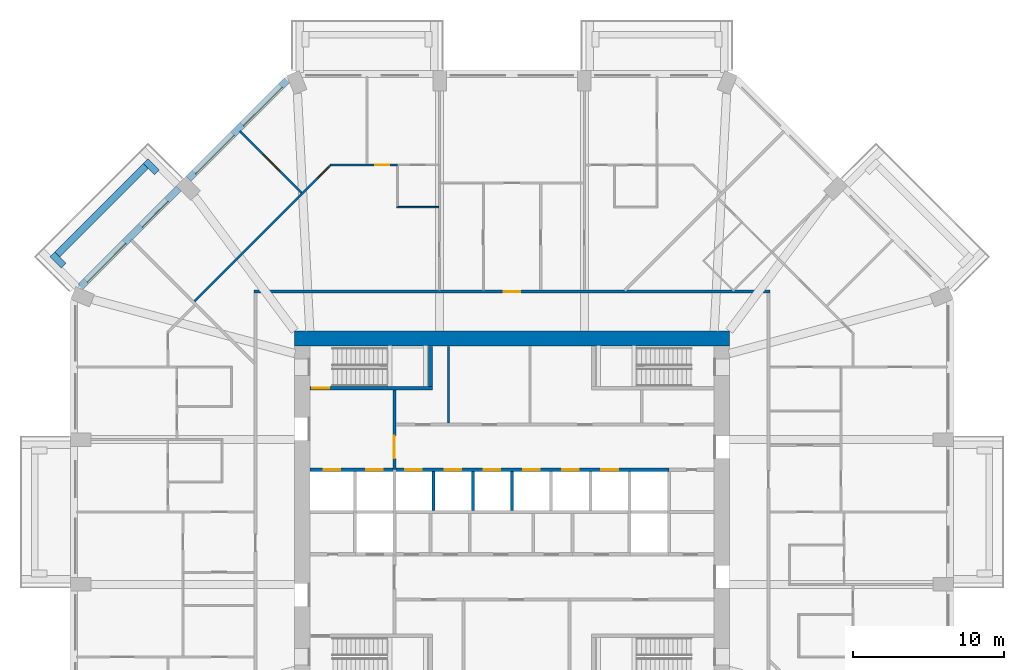
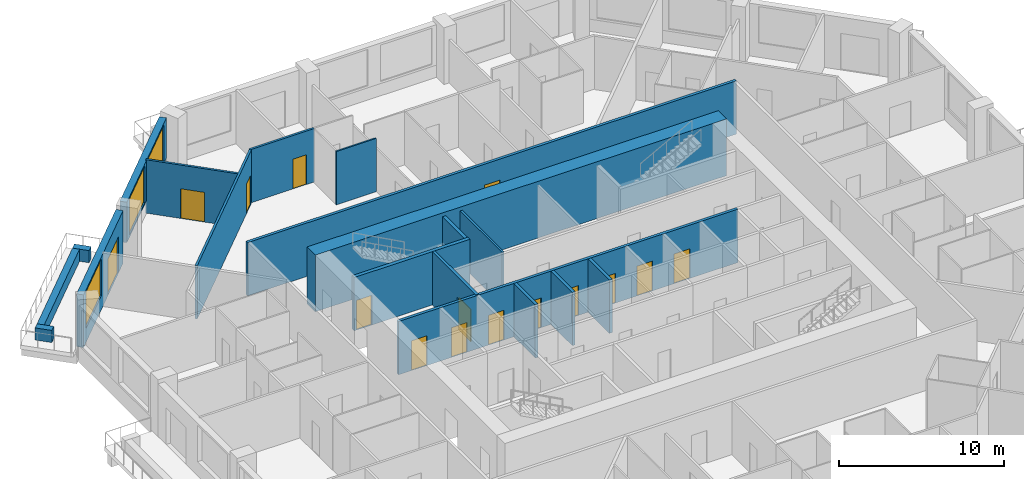
# One storey, part 8 of 13: 19 walls, 15 doors, 3 windows, 18 openings.
"""IFC4 building model written with IfcOpenShell, lengths in metres."""

import ifcopenshell
import ifcopenshell.guid

model = None  # the IFC model being written
_history = None  # IfcOwnerHistory: only IFC2X3 demands one
_inside = {}  # id of a spatial element -> (the spatial element, [elements in it])
_under = {}  # id of a project, library or spatial element -> (it, [spatial elements below it])
_declared = {}  # id of a project -> (the project, [libraries it declares])
_typed = {}  # id of a type object -> (the type object, [elements of that type])
_made_of = {}  # id of a material, layer set ... -> (it, [elements and type objects made of it])


def new_model(schema):
    """Start an empty IFC model of exactly this schema.

    Asked for "IFC4X3", IfcOpenShell would pick the latest addendum, in which some entities
    have other attributes; the version numbers below select the first issue.
    IFC2X3 requires an IfcOwnerHistory on every rooted entity: one is made here for all.
    """
    global model, _history
    if schema == "IFC4X3":
        model = ifcopenshell.file(schema_version=(4, 3, 0, 0))
    else:
        model = ifcopenshell.file(schema=schema)
    _inside.clear()
    _under.clear()
    _declared.clear()
    _typed.clear()
    _made_of.clear()
    _history = None
    if model.schema == "IFC2X3":
        org = make("IfcOrganization", Name="unknown")
        user = make(
            "IfcPersonAndOrganization",
            ThePerson=make("IfcPerson", FamilyName="unknown"),
            TheOrganization=org,
        )
        app = make(
            "IfcApplication",
            ApplicationDeveloper=org,
            Version="unknown",
            ApplicationFullName="unknown",
            ApplicationIdentifier="unknown",
        )
        _history = make(
            "IfcOwnerHistory",
            OwningUser=user,
            OwningApplication=app,
            ChangeAction="ADDED",
            CreationDate=0,
        )
    return model


def make(cls, **values):
    """One entity of the class cls with the attributes given. An attribute that is None is left unset."""
    return model.create_entity(
        cls, **{name: value for name, value in values.items() if value is not None}
    )


def rooted(cls, **values):
    """An entity with a GlobalId (a new one), such as an element, a storey or a relation."""
    return make(cls, GlobalId=ifcopenshell.guid.new(), OwnerHistory=_history, **values)


def si_unit(unit_type, name, prefix=None):
    """IfcSIUnit, for example si_unit("LENGTHUNIT", "METRE", prefix="MILLI")."""
    return make("IfcSIUnit", UnitType=unit_type, Prefix=prefix, Name=name)


def assignment(units):
    """IfcUnitAssignment: the units of a project."""
    return None if units is None else make("IfcUnitAssignment", Units=units)


def point(xyz):
    """IfcCartesianPoint."""
    return None if xyz is None else make("IfcCartesianPoint", Coordinates=xyz)


def direction(xyz):
    """IfcDirection."""
    return None if xyz is None else make("IfcDirection", DirectionRatios=xyz)


def frame(location, z_axis=None, x_axis=None):
    """IfcAxis2Placement3D, a coordinate frame: its origin and axes. An axis left out is left unset."""
    return make(
        "IfcAxis2Placement3D",
        Location=point(location),
        Axis=direction(z_axis),
        RefDirection=direction(x_axis),
    )


def frame_2d(location, x_axis=None):
    """IfcAxis2Placement2D, a coordinate frame in the plane: its origin and x axis."""
    return make(
        "IfcAxis2Placement2D", Location=point(location), RefDirection=direction(x_axis)
    )


def origin():
    """The frame at (0, 0, 0) with its axes left unset."""
    return frame((0.0, 0.0, 0.0))


def place(relative_to, where):
    """IfcLocalPlacement: puts the frame where relative to a parent placement (None: the world)."""
    return make(
        "IfcLocalPlacement", PlacementRelTo=relative_to, RelativePlacement=where
    )


def context(
    kind, dimensions, precision=None, world=None, true_north=None, identifier=None
):
    """IfcGeometricRepresentationContext, for example the 3D "Model" context."""
    return make(
        "IfcGeometricRepresentationContext",
        ContextIdentifier=identifier,
        ContextType=kind,
        CoordinateSpaceDimension=dimensions,
        Precision=precision,
        WorldCoordinateSystem=world,
        TrueNorth=true_north,
    )


def subcontext(parent, identifier, kind, view, scale=None):
    """IfcGeometricRepresentationSubContext, for example "Body" below "Model"."""
    return make(
        "IfcGeometricRepresentationSubContext",
        ContextIdentifier=identifier,
        ContextType=kind,
        ParentContext=parent,
        TargetScale=scale,
        TargetView=view,
    )


def project(units=None, contexts=None):
    """IfcProject with its units and contexts."""
    return rooted(
        "IfcProject",
        Name="project",
        RepresentationContexts=contexts,
        UnitsInContext=assignment(units),
    )


def spatial(cls, under=None, at=None, **own):
    """A site, building, storey or space (cls), placed at a placement, below another one or the project."""
    s = rooted(cls, ObjectPlacement=at, **own)
    if under is not None:
        _under.setdefault(under.id(), (under, []))[1].append(s)
    return s


def profile(cls, at=None, kind="AREA", **sizes):
    """A parametric profile (cls). Its sizes go by their IFC names, for example OverallWidth=200.0."""
    return make(cls, ProfileType=kind, Position=at, **sizes)


def rectangle(**sizes):
    """IfcRectangleProfileDef."""
    return profile("IfcRectangleProfileDef", **sizes)


def extrude(swept, where, along, depth):
    """IfcExtrudedAreaSolid: the profile swept, set in the frame where, extruded along a direction by depth."""
    return make(
        "IfcExtrudedAreaSolid",
        SweptArea=swept,
        Position=where,
        ExtrudedDirection=direction(along),
        Depth=depth,
    )


def shape(context_of_items, identifier, shape_type, items):
    """IfcShapeRepresentation: the items that make up one representation, for example the "Body"."""
    return make(
        "IfcShapeRepresentation",
        ContextOfItems=context_of_items,
        RepresentationIdentifier=identifier,
        RepresentationType=shape_type,
        Items=items,
    )


def material(Name=None, Category=None):
    """IfcMaterial."""
    return make("IfcMaterial", Name=Name, Category=Category)


def layer(
    of_material, thickness, ventilated=None, Name=None, Category=None, Priority=None
):
    """IfcMaterialLayer: one layer of a wall or slab, of a material (None: an air gap)."""
    return make(
        "IfcMaterialLayer",
        Material=of_material,
        LayerThickness=thickness,
        IsVentilated=ventilated,
        Name=Name,
        Category=Category,
        Priority=Priority,
    )


def layer_set(layers, Name=None):
    """IfcMaterialLayerSet."""
    return make("IfcMaterialLayerSet", MaterialLayers=layers, LayerSetName=Name)


def made_of(thing, what):
    """Note that an element or type object is made of a material, layer set ...; save() writes the relation."""
    if what is not None:
        _made_of.setdefault(what.id(), (what, []))[1].append(thing)
    return thing


def type_object(cls, material=None, **own):
    """A type object (cls), such as IfcWallType, which elements share."""
    return made_of(rooted(cls, **own), material)


def element(
    cls,
    number,
    at=None,
    inside=None,
    cuts=None,
    type_object=None,
    material=None,
    context=None,
    identifier="Body",
    shape_type=None,
    held_by="IfcProductDefinitionShape",
    body=None,
    shapes=None,
    **own,
):
    """One element of the class cls, such as IfcWall. Its Tag is "e" and its number.

    at: its placement. inside: the storey or other place that contains it. cuts: it is an
    opening in that element (IfcRelVoidsElement). A single representation is given by context,
    identifier, shape_type and body (its items); several are given by shapes. held_by: the class
    of the entity that holds the representations. save() writes the other relations.
    """
    e = rooted(cls, Tag="e%d" % number, ObjectPlacement=at, **own)
    if body is not None:
        shapes = [shape(context, identifier, shape_type, body)]
    if shapes is not None:
        e.Representation = make(held_by, Representations=shapes)
    if inside is not None:
        _inside.setdefault(inside.id(), (inside, []))[1].append(e)
    if cuts is not None:
        rooted(
            "IfcRelVoidsElement", RelatingBuildingElement=cuts, RelatedOpeningElement=e
        )
    if type_object is not None:
        _typed.setdefault(type_object.id(), (type_object, []))[1].append(e)
    return made_of(e, material)


def fill(opening, filler):
    """IfcRelFillsElement: the door or window that sits in an opening."""
    return rooted(
        "IfcRelFillsElement",
        RelatingOpeningElement=opening,
        RelatedBuildingElement=filler,
    )


def aggregate(whole, parts):
    """IfcRelAggregates: a whole, such as a stair, and the parts it consists of."""
    return rooted("IfcRelAggregates", RelatingObject=whole, RelatedObjects=parts)


def save(model, path):
    """Write the relations noted so far, then the file.

    IfcRelAggregates (storeys below a building ...), IfcRelContainedInSpatialStructure (elements
    in a storey), IfcRelDefinesByType, IfcRelAssociatesMaterial and IfcRelDeclares: one each for
    every whole, place, type object, material and project.
    """
    for whole, parts in _under.values():
        aggregate(whole, parts)
    for where, things in _inside.values():
        rooted(
            "IfcRelContainedInSpatialStructure",
            RelatedElements=things,
            RelatingStructure=where,
        )
    for kind, things in _typed.values():
        rooted("IfcRelDefinesByType", RelatedObjects=things, RelatingType=kind)
    for what, things in _made_of.values():
        rooted("IfcRelAssociatesMaterial", RelatedObjects=things, RelatingMaterial=what)
    for by, libraries in _declared.values():
        rooted("IfcRelDeclares", RelatingContext=by, RelatedDefinitions=libraries)
    model.write(path)


model = new_model("IFC4")

# Units and contexts
model_context = context("Model", 3, precision=1e-05, world=origin(), true_north=direction((0.0, 1.0)))
body_context = subcontext(model_context, "Body", "Model", "MODEL_VIEW")
ifc_project = project(units=[si_unit("LENGTHUNIT", "METRE"), si_unit("AREAUNIT", "SQUARE_METRE"), si_unit("VOLUMEUNIT", "CUBIC_METRE"), si_unit("PLANEANGLEUNIT", "RADIAN"), si_unit("MASSUNIT", "GRAM", prefix="KILO")], contexts=[model_context])

# Site, building, storey
site_placement = place(None, origin())
site = spatial("IfcSite", under=ifc_project, at=site_placement, CompositionType="ELEMENT")
building_placement = place(site_placement, origin())
building = spatial("IfcBuilding", under=site, at=building_placement, Name="Msitu Wima Residences", CompositionType="ELEMENT")
storey_placement = place(building_placement, frame((0.0, 0.0, 75.89990234375)))
storey = spatial("IfcBuildingStorey", under=building, at=storey_placement, Name="L17", CompositionType="ELEMENT", Elevation=75.89990234375)

# Walls
ifc_material_1 = material(Name="Facing brick")
ifc_layer_1 = layer(ifc_material_1, 0.06494140625, Name="Facing brick")
ifc_material_2 = material(Name="Concrete C40/50", Category="concrete")
ifc_layer_2 = layer(ifc_material_2, 0.156005859375, Name="Concrete C40/50")
ifc_material_3 = material(Name="Waterproofing membrane")
ifc_layer_3 = layer(ifc_material_3, 0.00390625, Name="Waterproofing membrane")
ifc_material_4 = material(Name="Planting soil and planting")
ifc_layer_4 = layer(ifc_material_4, 0.22509765625, Name="Planting soil and planting")
ifc_layer_set_1 = layer_set([ifc_layer_1, ifc_layer_2, ifc_layer_3, ifc_layer_4], Name="Concrete C40/50")
wall_type_1 = type_object("IfcWallType", Name="Balcony planter PLANTER PL450", PredefinedType="USERDEFINED", material=ifc_layer_set_1)
wall_1_placement = place(storey_placement, frame((-24.269287109375, 22.92578125, 0.0), z_axis=(0.0, 0.0, 1.0), x_axis=(-0.707106781187, -0.707106781187, 0.0)))
element("IfcWall", 1, at=wall_1_placement, inside=storey, type_object=wall_type_1, Name="Balcony planter NW1 L17", ObjectType="PLANTER", PredefinedType="USERDEFINED", context=body_context, shape_type="SweptSolid", body=[
    extrude(rectangle(XDim=8.2822265625, YDim=0.449951171875, at=frame_2d((4.14111328125, 0.0))), origin(), (0.0, 0.0, 1.0), 0.900146484375),
])
for number, where, z_axis, x_axis, name in (
    (2, (-23.52685546875, 22.50146484375, 0.0), (0.0, 0.0, 1.0), (-0.706990528533, 0.707223014731, 0.0), "Balcony planter NW1 L17"),
    (3, (-29.70166015625, 16.326904296875, 0.0), (0.0, 0.0, 1.0), (-0.707106781187, 0.707106781187, 0.0), "Balcony planter NW1 L17"),
):
    element("IfcWall", number, at=place(storey_placement, frame(where, z_axis=z_axis, x_axis=x_axis)), inside=storey, type_object=wall_type_1, Name=name, ObjectType="PLANTER", PredefinedType="USERDEFINED", context=body_context, shape_type="SweptSolid", body=[
        extrude(rectangle(XDim=1.050048828125, YDim=0.449951171875, at=frame_2d((0.52490234375, 0.0))), origin(), (0.0, 0.0, 1.0), 0.900146484375),
    ])

# Wall, openings, windows
ifc_material_5 = material(Name="Brick (red buff mix)", Category="masonry")
ifc_layer_5 = layer(ifc_material_5, 0.449951171875)
ifc_layer_set_2 = layer_set([ifc_layer_5], Name="Brick (red buff mix)")
wall_type_2 = type_object("IfcWallType", Name="Brick infill wall BW450", PredefinedType="SOLIDWALL", material=ifc_layer_set_2)
wall_2_placement = place(storey_placement, frame((-14.903564453125, 28.61474609375, 0.900146484375), z_axis=(0.0, 0.0, 1.0), x_axis=(-0.707106781187, -0.707106781187, 0.0)))
wall_2 = element("IfcWall", 4, at=wall_2_placement, inside=storey, type_object=wall_type_2, Name="Brick infill wall L17 NW0", PredefinedType="SOLIDWALL", context=body_context, shape_type="SweptSolid", body=[
    extrude(rectangle(XDim=9.2451171875, YDim=0.449951171875, at=frame_2d((4.62255859375, 0.0))), origin(), (0.0, 0.0, 1.0), 3.0),
])
opening_1_placement = place(wall_2_placement, frame((0.572509765625, 0.0, 0.14990234375)))
opening_1 = element("IfcOpeningElement", 5, at=opening_1_placement, cuts=wall_2, Name="Opening W16-17.013", PredefinedType="OPENING", context=body_context, shape_type="SweptSolid", body=[
    extrude(rectangle(XDim=3.60009765625, YDim=2.699951171875, at=frame_2d((1.800048828125, 1.35009765625))), frame((0.0, 0.23486328125, 0.0), z_axis=(0.0, -1.0, 0.0), x_axis=(1.0, 0.0, 0.0)), (0.0, 0.0, 1.0), 0.469970703125),
])
opening_2_placement = place(wall_2_placement, frame((5.072509765625, 0.0, 0.14990234375)))
opening_2 = element("IfcOpeningElement", 6, at=opening_2_placement, cuts=wall_2, Name="Opening W16-17.014", PredefinedType="OPENING", context=body_context, shape_type="SweptSolid", body=[
    extrude(rectangle(XDim=3.60009765625, YDim=2.699951171875, at=frame_2d((1.800048828125, 1.35009765625))), frame((0.0, 0.23486328125, 0.0), z_axis=(0.0, -1.0, 0.0), x_axis=(1.0, 0.0, 0.0)), (0.0, 0.0, 1.0), 0.469970703125),
])
ifc_material_6 = material(Name="Anodised aluminium, bronze finish, clear low-emissivity double glazing", Category="aluminium")
window_type = type_object("IfcWindowType", Name="Window W3600x2700", PartitioningType="DOUBLE_PANEL_VERTICAL", PredefinedType="WINDOW", material=ifc_material_6)
window_1_placement = place(opening_1_placement, origin())
window_1 = element("IfcWindow", 7, at=window_1_placement, inside=storey, type_object=window_type, Name="Window L17 NW0.1", OverallHeight=2.699951171875, OverallWidth=3.60009765625, PartitioningType="SINGLE_PANEL", PredefinedType="WINDOW", context=body_context, shape_type="SweptSolid", body=[
    extrude(rectangle(XDim=3.60009765625, YDim=2.699951171875, at=frame_2d((1.800048828125, 1.35009765625))), frame((0.0, 0.135009765625, 0.0), z_axis=(0.0, -1.0, 0.0), x_axis=(1.0, 0.0, 0.0)), (0.0, 0.0, 1.0), 0.06005859375),
])
fill(opening_1, window_1)
window_2_placement = place(opening_2_placement, origin())
window_2 = element("IfcWindow", 8, at=window_2_placement, inside=storey, type_object=window_type, Name="Window L17 NW0.2", OverallHeight=2.699951171875, OverallWidth=3.60009765625, PartitioningType="SINGLE_PANEL", PredefinedType="WINDOW", context=body_context, shape_type="SweptSolid", body=[
    extrude(rectangle(XDim=3.60009765625, YDim=2.699951171875, at=frame_2d((1.800048828125, 1.35009765625))), frame((0.0, 0.135009765625, 0.0), z_axis=(0.0, -1.0, 0.0), x_axis=(1.0, 0.0, 0.0)), (0.0, 0.0, 1.0), 0.06005859375),
])
fill(opening_2, window_2)

# Wall, openings, door, window
wall_3_placement = place(storey_placement, frame((-22.077392578125, 21.44091796875, 0.0), z_axis=(0.0, 0.0, 1.0), x_axis=(-0.707106781187, -0.707106781187, 0.0)))
wall_3 = element("IfcWall", 9, at=wall_3_placement, inside=storey, type_object=wall_type_2, Name="Brick infill wall L17 NW1", PredefinedType="SOLIDWALL", context=body_context, shape_type="SweptSolid", body=[
    extrude(rectangle(XDim=9.2451171875, YDim=0.449951171875, at=frame_2d((4.62255859375, 0.0))), origin(), (0.0, 0.0, 1.0), 3.900146484375),
])
opening_3_placement = place(wall_3_placement, frame((1.111328125, 0.0, 0.0)))
opening_3 = element("IfcOpeningElement", 10, at=opening_3_placement, cuts=wall_3, Name="Opening D16-17.005", PredefinedType="OPENING", context=body_context, shape_type="SweptSolid", body=[
    extrude(rectangle(XDim=2.39990234375, YDim=2.699951171875, at=frame_2d((1.199951171875, 1.35009765625))), frame((0.0, 0.23486328125, 0.0), z_axis=(0.0, -1.0, 0.0), x_axis=(1.0, 0.0, 0.0)), (0.0, 0.0, 1.0), 0.469970703125),
])
opening_4_placement = place(wall_3_placement, frame((5.072509765625, 0.0, 1.050048828125)))
opening_4 = element("IfcOpeningElement", 11, at=opening_4_placement, cuts=wall_3, Name="Opening W16-17.015", PredefinedType="OPENING", context=body_context, shape_type="SweptSolid", body=[
    extrude(rectangle(XDim=3.60009765625, YDim=2.699951171875, at=frame_2d((1.800048828125, 1.35009765625))), frame((0.0, 0.23486328125, 0.0), z_axis=(0.0, -1.0, 0.0), x_axis=(1.0, 0.0, 0.0)), (0.0, 0.0, 1.0), 0.469970703125),
])
door_type_1 = type_object("IfcDoorType", Name="Balcony door D2400x2700", OperationType="SLIDING_TO_LEFT", PredefinedType="DOOR", material=ifc_material_6)
door_1_placement = place(opening_3_placement, origin())
door_1 = element("IfcDoor", 12, at=door_1_placement, inside=storey, type_object=door_type_1, Name="Balcony door L17 NW1", OperationType="SINGLE_SWING_LEFT", OverallHeight=2.699951171875, OverallWidth=2.39990234375, PredefinedType="DOOR", context=body_context, shape_type="SweptSolid", body=[
    extrude(rectangle(XDim=2.39990234375, YDim=2.699951171875, at=frame_2d((1.199951171875, 1.35009765625))), frame((0.0, 0.1298828125, 0.0), z_axis=(0.0, -1.0, 0.0), x_axis=(1.0, 0.0, 0.0)), (0.0, 0.0, 1.0), 0.050048828125),
])
fill(opening_3, door_1)
window_3_placement = place(opening_4_placement, origin())
window_3 = element("IfcWindow", 13, at=window_3_placement, inside=storey, type_object=window_type, Name="Window L17 NW1.2", OverallHeight=2.699951171875, OverallWidth=3.60009765625, PartitioningType="SINGLE_PANEL", PredefinedType="WINDOW", context=body_context, shape_type="SweptSolid", body=[
    extrude(rectangle(XDim=3.60009765625, YDim=2.699951171875, at=frame_2d((1.800048828125, 1.35009765625))), frame((0.0, 0.135009765625, 0.0), z_axis=(0.0, -1.0, 0.0), x_axis=(1.0, 0.0, 0.0)), (0.0, 0.0, 1.0), 0.06005859375),
])
fill(opening_4, window_3)

# Wall
ifc_material_7 = material(Name="Concrete C80/95", Category="concrete")
ifc_layer_6 = layer(ifc_material_7, 1.0)
ifc_layer_set_3 = layer_set([ifc_layer_6], Name="Concrete C80/95")
wall_type_3 = type_object("IfcWallType", Name="Core wall CW1000 C80/95", PredefinedType="SHEAR", material=ifc_layer_set_3)
wall_4_placement = place(storey_placement, frame((-14.39990234375, 11.5, 0.0), z_axis=(0.0, 0.0, 1.0), x_axis=(1.0, 0.0, 0.0)))
element("IfcWall", 14, at=wall_4_placement, inside=storey, type_object=wall_type_3, Name="Core wall", PredefinedType="SHEAR", context=body_context, shape_type="SweptSolid", body=[
    extrude(rectangle(XDim=28.7998046875, YDim=1.0, at=frame_2d((14.39990234375, 0.0))), origin(), (0.0, 0.0, 1.0), 4.2001953125),
])

# Wall, opening, door
ifc_material_8 = material(Name="Plaster")
ifc_layer_7 = layer(ifc_material_8, 0.011962890625, Name="Plaster")
ifc_material_9 = material(Name="Concrete blockwork", Category="masonry")
ifc_layer_8 = layer(ifc_material_9, 0.176025390625, Name="Concrete blockwork")
ifc_layer_9 = layer(ifc_material_8, 0.011962890625, Name="Plaster")
ifc_layer_set_4 = layer_set([ifc_layer_7, ifc_layer_8, ifc_layer_9], Name="Concrete blockwork")
wall_type_4 = type_object("IfcWallType", Name="Corridor wall FW200", PredefinedType="PARTITIONING", material=ifc_layer_set_4)
wall_5_placement = place(storey_placement, frame((-17.10009765625, 14.60009765625, 0.0), z_axis=(0.0, 0.0, 1.0), x_axis=(1.0, 0.0, 0.0)))
wall_5 = element("IfcWall", 15, at=wall_5_placement, inside=storey, type_object=wall_type_4, Name="Corridor wall", PredefinedType="PARTITIONING", context=body_context, shape_type="SweptSolid", body=[
    extrude(rectangle(XDim=34.2001953125, YDim=0.199951171875, at=frame_2d((17.10009765625, 0.0))), origin(), (0.0, 0.0, 1.0), 3.9501953125),
])
opening_5_placement = place(wall_5_placement, frame((16.550048828125, 0.0, 0.0)))
opening_5 = element("IfcOpeningElement", 16, at=opening_5_placement, cuts=wall_5, Name="Opening D16-17.011", PredefinedType="OPENING", context=body_context, shape_type="SweptSolid", body=[
    extrude(rectangle(XDim=1.10009765625, YDim=2.39990234375, at=frame_2d((0.550048828125, 1.199951171875))), frame((0.0, 0.10986328125, 0.0), z_axis=(0.0, -1.0, 0.0), x_axis=(1.0, 0.0, 0.0)), (0.0, 0.0, 1.0), 0.219970703125),
])
ifc_material_10 = material(Name="Timber flush door, fire resisting, self-closing", Category="wood")
door_type_2 = type_object("IfcDoorType", Name="Flat entrance door D01 1100x2400", OperationType="SINGLE_SWING_LEFT", PredefinedType="DOOR", material=ifc_material_10)
door_2_placement = place(opening_5_placement, origin())
door_2 = element("IfcDoor", 17, at=door_2_placement, inside=storey, type_object=door_type_2, Name="Flat entrance door", OperationType="SINGLE_SWING_RIGHT", OverallHeight=2.39990234375, OverallWidth=1.10009765625, PredefinedType="DOOR", context=body_context, shape_type="SweptSolid", body=[
    extrude(rectangle(XDim=1.10009765625, YDim=2.39990234375, at=frame_2d((0.550048828125, 1.199951171875))), frame((0.0, 0.02490234375, 0.0), z_axis=(0.0, -1.0, 0.0), x_axis=(1.0, 0.0, 0.0)), (0.0, 0.0, 1.0), 0.050048828125),
])
fill(opening_5, door_2)

wall_6_placement = place(storey_placement, frame((-7.800048828125, 2.800048828125, 0.0), z_axis=(0.0, 0.0, 1.0), x_axis=(0.0, 1.0, 0.0)))
wall_6 = element("IfcWall", 18, at=wall_6_placement, inside=storey, type_object=wall_type_4, Name="Corridor wall", PredefinedType="PARTITIONING", context=body_context, shape_type="SweptSolid", body=[
    extrude(rectangle(XDim=5.27490234375, YDim=0.199951171875, at=frame_2d((2.637451171875, 0.0))), origin(), (0.0, 0.0, 1.0), 3.9501953125),
])
opening_6_placement = place(wall_6_placement, frame((0.75, 0.0, 0.0)))
opening_6 = element("IfcOpeningElement", 19, at=opening_6_placement, cuts=wall_6, Name="Opening D16-17.017", PredefinedType="OPENING", context=body_context, shape_type="SweptSolid", body=[
    extrude(rectangle(XDim=1.5, YDim=2.39990234375, at=frame_2d((0.75, 1.199951171875))), frame((0.0, 0.10986328125, 0.0), z_axis=(0.0, -1.0, 0.0), x_axis=(1.0, 0.0, 0.0)), (0.0, 0.0, 1.0), 0.219970703125),
])
ifc_material_11 = material(Name="Steel framed glazed door, fire resisting", Category="steel")
door_type_3 = type_object("IfcDoorType", Name="Lobby door D07 1500x2400", OperationType="DOUBLE_DOOR_SINGLE_SWING", PredefinedType="DOOR", material=ifc_material_11)
door_3_placement = place(opening_6_placement, origin())
door_3 = element("IfcDoor", 20, at=door_3_placement, inside=storey, type_object=door_type_3, Name="Lobby door", OperationType="DOUBLE_DOOR_SINGLE_SWING", OverallHeight=2.39990234375, OverallWidth=1.5, PredefinedType="DOOR", context=body_context, shape_type="SweptSolid", body=[
    extrude(rectangle(XDim=1.5, YDim=2.39990234375, at=frame_2d((0.75, 1.199951171875))), frame((0.0, 0.02490234375, 0.0), z_axis=(0.0, -1.0, 0.0), x_axis=(1.0, 0.0, 0.0)), (0.0, 0.0, 1.0), 0.050048828125),
])
fill(opening_6, door_3)

ifc_layer_10 = layer(ifc_material_8, 0.011962890625, Name="Plaster")
ifc_layer_11 = layer(ifc_material_9, 0.1259765625, Name="Concrete blockwork")
ifc_layer_12 = layer(ifc_material_8, 0.011962890625, Name="Plaster")
ifc_layer_set_5 = layer_set([ifc_layer_10, ifc_layer_11, ifc_layer_12], Name="Concrete blockwork")
wall_type_5 = type_object("IfcWallType", Name="Partition PW150", PredefinedType="PARTITIONING", material=ifc_layer_set_5)
wall_7_placement = place(storey_placement, frame((-21.028076171875, 13.969482421875, 0.0), z_axis=(0.0, 0.0, 1.0), x_axis=(0.707106781187, 0.707106781187, 0.0)))
wall_7 = element("IfcWall", 21, at=wall_7_placement, inside=storey, type_object=wall_type_5, Name="Partition", PredefinedType="PARTITIONING", context=body_context, shape_type="SweptSolid", body=[
    extrude(rectangle(XDim=12.696044921875, YDim=0.14990234375, at=frame_2d((6.34814453125, 0.0))), origin(), (0.0, 0.0, 1.0), 3.9501953125),
])
opening_7_placement = place(wall_7_placement, frame((11.550048828125, 0.0, 0.0)))
opening_7 = element("IfcOpeningElement", 22, at=opening_7_placement, cuts=wall_7, Name="Opening D16-17.044", PredefinedType="OPENING", context=body_context, shape_type="SweptSolid", body=[
    extrude(rectangle(XDim=0.949951171875, YDim=2.199951171875, at=frame_2d((0.47509765625, 1.10009765625))), frame((0.0, 0.0849609375, 0.0), z_axis=(0.0, -1.0, 0.0), x_axis=(1.0, 0.0, 0.0)), (0.0, 0.0, 1.0), 0.169921875),
])
ifc_material_12 = material(Name="Timber flush door", Category="wood")
door_type_4 = type_object("IfcDoorType", Name="Room door D12 950x2200", OperationType="SINGLE_SWING_LEFT", PredefinedType="DOOR", material=ifc_material_12)
door_4_placement = place(opening_7_placement, origin())
door_4 = element("IfcDoor", 23, at=door_4_placement, inside=storey, type_object=door_type_4, Name="Room door", OperationType="SINGLE_SWING_LEFT", OverallHeight=2.199951171875, OverallWidth=0.949951171875, PredefinedType="DOOR", context=body_context, shape_type="SweptSolid", body=[
    extrude(rectangle(XDim=0.949951171875, YDim=2.199951171875, at=frame_2d((0.47509765625, 1.10009765625))), frame((0.0, 0.02490234375, 0.0), z_axis=(0.0, -1.0, 0.0), x_axis=(1.0, 0.0, 0.0)), (0.0, 0.0, 1.0), 0.050048828125),
])
fill(opening_7, door_4)

wall_8_placement = place(storey_placement, frame((-18.038818359375, 25.23876953125, 0.0), z_axis=(0.0, 0.0, 1.0), x_axis=(0.707106781187, -0.707106781187, 0.0)))
wall_8 = element("IfcWall", 24, at=wall_8_placement, inside=storey, type_object=wall_type_5, Name="Partition", PredefinedType="PARTITIONING", context=body_context, shape_type="SweptSolid", body=[
    extrude(rectangle(XDim=5.77978515625, YDim=0.14990234375, at=frame_2d((2.889892578125, 0.0))), origin(), (0.0, 0.0, 1.0), 3.9501953125),
])
opening_8_placement = place(wall_8_placement, frame((2.199951171875, 0.0, 0.0)))
opening_8 = element("IfcOpeningElement", 25, at=opening_8_placement, cuts=wall_8, Name="Opening D16-17.045", PredefinedType="OPENING", context=body_context, shape_type="SweptSolid", body=[
    extrude(rectangle(XDim=1.5, YDim=2.199951171875, at=frame_2d((0.75, 1.10009765625))), frame((0.0, 0.0849609375, 0.0), z_axis=(0.0, -1.0, 0.0), x_axis=(1.0, 0.0, 0.0)), (0.0, 0.0, 1.0), 0.169921875),
])
ifc_material_13 = material(Name="Timber double door", Category="wood")
door_type_5 = type_object("IfcDoorType", Name="Double door D04 1500x2200", OperationType="DOUBLE_DOOR_SINGLE_SWING", PredefinedType="DOOR", material=ifc_material_13)
door_5_placement = place(opening_8_placement, origin())
door_5 = element("IfcDoor", 26, at=door_5_placement, inside=storey, type_object=door_type_5, Name="Double door", OperationType="DOUBLE_DOOR_SINGLE_SWING", OverallHeight=2.199951171875, OverallWidth=1.5, PredefinedType="DOOR", context=body_context, shape_type="SweptSolid", body=[
    extrude(rectangle(XDim=1.5, YDim=2.199951171875, at=frame_2d((0.75, 1.10009765625))), frame((0.0, 0.02490234375, 0.0), z_axis=(0.0, -1.0, 0.0), x_axis=(1.0, 0.0, 0.0)), (0.0, 0.0, 1.0), 0.050048828125),
])
fill(opening_8, door_5)

wall_9_placement = place(storey_placement, frame((-12.072509765625, 23.0, 0.0), z_axis=(0.0, 0.0, 1.0), x_axis=(1.0, 0.0, 0.0)))
wall_9 = element("IfcWall", 27, at=wall_9_placement, inside=storey, type_object=wall_type_5, Name="Partition", PredefinedType="PARTITIONING", context=body_context, shape_type="SweptSolid", body=[
    extrude(rectangle(XDim=4.492431640625, YDim=0.14990234375, at=frame_2d((2.24609375, 0.0))), origin(), (0.0, 0.0, 1.0), 3.9501953125),
])
opening_9_placement = place(wall_9_placement, frame((3.0, 0.0, 0.0)))
opening_9 = element("IfcOpeningElement", 28, at=opening_9_placement, cuts=wall_9, Name="Opening D16-17.086", PredefinedType="OPENING", context=body_context, shape_type="SweptSolid", body=[
    extrude(rectangle(XDim=0.949951171875, YDim=2.199951171875, at=frame_2d((0.47509765625, 1.10009765625))), frame((0.0, 0.0849609375, 0.0), z_axis=(0.0, -1.0, 0.0), x_axis=(1.0, 0.0, 0.0)), (0.0, 0.0, 1.0), 0.169921875),
])
door_6_placement = place(opening_9_placement, origin())
door_6 = element("IfcDoor", 29, at=door_6_placement, inside=storey, type_object=door_type_4, Name="Room door", OperationType="SINGLE_SWING_LEFT", OverallHeight=2.199951171875, OverallWidth=0.949951171875, PredefinedType="DOOR", context=body_context, shape_type="SweptSolid", body=[
    extrude(rectangle(XDim=0.949951171875, YDim=2.199951171875, at=frame_2d((0.47509765625, 1.10009765625))), frame((0.0, 0.02490234375, 0.0), z_axis=(0.0, -1.0, 0.0), x_axis=(1.0, 0.0, 0.0)), (0.0, 0.0, 1.0), 0.050048828125),
])
fill(opening_9, door_6)

# Wall
wall_10_placement = place(storey_placement, frame((-4.199951171875, 5.89990234375, 0.0), z_axis=(0.0, 0.0, 1.0), x_axis=(0.0, 1.0, 0.0)))
element("IfcWall", 30, at=wall_10_placement, inside=storey, type_object=wall_type_5, Name="Partition", PredefinedType="PARTITIONING", context=body_context, shape_type="SweptSolid", body=[
    extrude(rectangle(XDim=5.070068359375, YDim=0.14990234375, at=frame_2d((2.53515625, 0.0))), origin(), (0.0, 0.0, 1.0), 3.9501953125),
])

# Wall, openings, doors
ifc_material_14 = material(Name="Fire-rated board")
ifc_layer_13 = layer(ifc_material_14, 0.02490234375, Name="Fire-rated board")
ifc_material_15 = material(Name="Light-gauge stud framing with mineral wool")
ifc_layer_14 = layer(ifc_material_15, 0.14990234375, Name="Light-gauge stud framing with mineral wool")
ifc_layer_15 = layer(ifc_material_14, 0.02490234375, Name="Fire-rated board")
ifc_layer_set_6 = layer_set([ifc_layer_13, ifc_layer_14, ifc_layer_15], Name="Light-gauge stud framing with mineral wool")
wall_type_6 = type_object("IfcWallType", Name="Shaft wall SH200", PredefinedType="PARTITIONING", material=ifc_layer_set_6)
wall_11_placement = place(storey_placement, frame((-13.3701171875, 2.800048828125, 0.0), z_axis=(0.0, 0.0, 1.0), x_axis=(1.0, 0.0, 0.0)))
wall_11 = element("IfcWall", 31, at=wall_11_placement, inside=storey, type_object=wall_type_6, Name="Shaft wall", PredefinedType="PARTITIONING", context=body_context, shape_type="SweptSolid", body=[
    extrude(rectangle(XDim=23.77001953125, YDim=0.199951171875, at=frame_2d((11.885009765625, 0.0))), origin(), (0.0, 0.0, 1.0), 3.9501953125),
])
opening_10_placement = place(wall_11_placement, frame((0.89990234375, 0.0, 0.0)))
opening_10 = element("IfcOpeningElement", 32, at=opening_10_placement, cuts=wall_11, Name="Opening LD", PredefinedType="OPENING", context=body_context, shape_type="SweptSolid", body=[
    extrude(rectangle(XDim=1.10009765625, YDim=2.199951171875, at=frame_2d((0.550048828125, 1.10009765625))), frame((0.0, 0.10986328125, 0.0), z_axis=(0.0, -1.0, 0.0), x_axis=(1.0, 0.0, 0.0)), (0.0, 0.0, 1.0), 0.219970703125),
])
opening_11_placement = place(wall_11_placement, frame((3.699951171875, 0.0, 0.0)))
opening_11 = element("IfcOpeningElement", 33, at=opening_11_placement, cuts=wall_11, Name="Opening LD", PredefinedType="OPENING", context=body_context, shape_type="SweptSolid", body=[
    extrude(rectangle(XDim=1.10009765625, YDim=2.199951171875, at=frame_2d((0.550048828125, 1.10009765625))), frame((0.0, 0.10986328125, 0.0), z_axis=(0.0, -1.0, 0.0), x_axis=(1.0, 0.0, 0.0)), (0.0, 0.0, 1.0), 0.219970703125),
])
opening_12_placement = place(wall_11_placement, frame((6.300048828125, 0.0, 0.0)))
opening_12 = element("IfcOpeningElement", 34, at=opening_12_placement, cuts=wall_11, Name="Opening LD", PredefinedType="OPENING", context=body_context, shape_type="SweptSolid", body=[
    extrude(rectangle(XDim=1.10009765625, YDim=2.199951171875, at=frame_2d((0.550048828125, 1.10009765625))), frame((0.0, 0.10986328125, 0.0), z_axis=(0.0, -1.0, 0.0), x_axis=(1.0, 0.0, 0.0)), (0.0, 0.0, 1.0), 0.219970703125),
])
opening_13_placement = place(wall_11_placement, frame((8.89990234375, 0.0, 0.0)))
opening_13 = element("IfcOpeningElement", 35, at=opening_13_placement, cuts=wall_11, Name="Opening LD", PredefinedType="OPENING", context=body_context, shape_type="SweptSolid", body=[
    extrude(rectangle(XDim=1.10009765625, YDim=2.199951171875, at=frame_2d((0.550048828125, 1.10009765625))), frame((0.0, 0.10986328125, 0.0), z_axis=(0.0, -1.0, 0.0), x_axis=(1.0, 0.0, 0.0)), (0.0, 0.0, 1.0), 0.219970703125),
])
opening_14_placement = place(wall_11_placement, frame((11.5, 0.0, 0.0)))
opening_14 = element("IfcOpeningElement", 36, at=opening_14_placement, cuts=wall_11, Name="Opening LD", PredefinedType="OPENING", context=body_context, shape_type="SweptSolid", body=[
    extrude(rectangle(XDim=1.10009765625, YDim=2.199951171875, at=frame_2d((0.550048828125, 1.10009765625))), frame((0.0, 0.10986328125, 0.0), z_axis=(0.0, -1.0, 0.0), x_axis=(1.0, 0.0, 0.0)), (0.0, 0.0, 1.0), 0.219970703125),
])
opening_15_placement = place(wall_11_placement, frame((14.10009765625, 0.0, 0.0)))
opening_15 = element("IfcOpeningElement", 37, at=opening_15_placement, cuts=wall_11, Name="Opening LD", PredefinedType="OPENING", context=body_context, shape_type="SweptSolid", body=[
    extrude(rectangle(XDim=1.10009765625, YDim=2.199951171875, at=frame_2d((0.550048828125, 1.10009765625))), frame((0.0, 0.10986328125, 0.0), z_axis=(0.0, -1.0, 0.0), x_axis=(1.0, 0.0, 0.0)), (0.0, 0.0, 1.0), 0.219970703125),
])
opening_16_placement = place(wall_11_placement, frame((16.699951171875, 0.0, 0.0)))
opening_16 = element("IfcOpeningElement", 38, at=opening_16_placement, cuts=wall_11, Name="Opening LD", PredefinedType="OPENING", context=body_context, shape_type="SweptSolid", body=[
    extrude(rectangle(XDim=1.10009765625, YDim=2.199951171875, at=frame_2d((0.550048828125, 1.10009765625))), frame((0.0, 0.10986328125, 0.0), z_axis=(0.0, -1.0, 0.0), x_axis=(1.0, 0.0, 0.0)), (0.0, 0.0, 1.0), 0.219970703125),
])
opening_17_placement = place(wall_11_placement, frame((19.300048828125, 0.0, 0.0)))
opening_17 = element("IfcOpeningElement", 39, at=opening_17_placement, cuts=wall_11, Name="Opening LD", PredefinedType="OPENING", context=body_context, shape_type="SweptSolid", body=[
    extrude(rectangle(XDim=1.10009765625, YDim=2.199951171875, at=frame_2d((0.550048828125, 1.10009765625))), frame((0.0, 0.10986328125, 0.0), z_axis=(0.0, -1.0, 0.0), x_axis=(1.0, 0.0, 0.0)), (0.0, 0.0, 1.0), 0.219970703125),
])
ifc_material_16 = material(Name="Stainless steel centre-opening landing door, rated", Category="steel")
door_type_6 = type_object("IfcDoorType", Name="Lift landing door LD 1100x2200", OperationType="DOUBLE_DOOR_SLIDING", PredefinedType="DOOR", material=ifc_material_16)
door_7_placement = place(opening_10_placement, origin())
door_7 = element("IfcDoor", 40, at=door_7_placement, inside=storey, type_object=door_type_6, Name="Lift landing door LD1", OperationType="DOUBLE_DOOR_SLIDING", OverallHeight=2.199951171875, OverallWidth=1.10009765625, PredefinedType="DOOR", context=body_context, shape_type="SweptSolid", body=[
    extrude(rectangle(XDim=1.10009765625, YDim=2.199951171875, at=frame_2d((0.550048828125, 1.10009765625))), frame((0.0, 0.02490234375, 0.0), z_axis=(0.0, -1.0, 0.0), x_axis=(1.0, 0.0, 0.0)), (0.0, 0.0, 1.0), 0.050048828125),
])
fill(opening_10, door_7)
door_8_placement = place(opening_11_placement, origin())
door_8 = element("IfcDoor", 41, at=door_8_placement, inside=storey, type_object=door_type_6, Name="Lift landing door LD2", OperationType="DOUBLE_DOOR_SLIDING", OverallHeight=2.199951171875, OverallWidth=1.10009765625, PredefinedType="DOOR", context=body_context, shape_type="SweptSolid", body=[
    extrude(rectangle(XDim=1.10009765625, YDim=2.199951171875, at=frame_2d((0.550048828125, 1.10009765625))), frame((0.0, 0.02490234375, 0.0), z_axis=(0.0, -1.0, 0.0), x_axis=(1.0, 0.0, 0.0)), (0.0, 0.0, 1.0), 0.050048828125),
])
fill(opening_11, door_8)
door_9_placement = place(opening_12_placement, origin())
door_9 = element("IfcDoor", 42, at=door_9_placement, inside=storey, type_object=door_type_6, Name="Lift landing door LD4", OperationType="DOUBLE_DOOR_SLIDING", OverallHeight=2.199951171875, OverallWidth=1.10009765625, PredefinedType="DOOR", context=body_context, shape_type="SweptSolid", body=[
    extrude(rectangle(XDim=1.10009765625, YDim=2.199951171875, at=frame_2d((0.550048828125, 1.10009765625))), frame((0.0, 0.02490234375, 0.0), z_axis=(0.0, -1.0, 0.0), x_axis=(1.0, 0.0, 0.0)), (0.0, 0.0, 1.0), 0.050048828125),
])
fill(opening_12, door_9)
door_10_placement = place(opening_13_placement, origin())
door_10 = element("IfcDoor", 43, at=door_10_placement, inside=storey, type_object=door_type_6, Name="Lift landing door LD6", OperationType="DOUBLE_DOOR_SLIDING", OverallHeight=2.199951171875, OverallWidth=1.10009765625, PredefinedType="DOOR", context=body_context, shape_type="SweptSolid", body=[
    extrude(rectangle(XDim=1.10009765625, YDim=2.199951171875, at=frame_2d((0.550048828125, 1.10009765625))), frame((0.0, 0.02490234375, 0.0), z_axis=(0.0, -1.0, 0.0), x_axis=(1.0, 0.0, 0.0)), (0.0, 0.0, 1.0), 0.050048828125),
])
fill(opening_13, door_10)
door_11_placement = place(opening_14_placement, origin())
door_11 = element("IfcDoor", 44, at=door_11_placement, inside=storey, type_object=door_type_6, Name="Lift landing door LD8", OperationType="DOUBLE_DOOR_SLIDING", OverallHeight=2.199951171875, OverallWidth=1.10009765625, PredefinedType="DOOR", context=body_context, shape_type="SweptSolid", body=[
    extrude(rectangle(XDim=1.10009765625, YDim=2.199951171875, at=frame_2d((0.550048828125, 1.10009765625))), frame((0.0, 0.02490234375, 0.0), z_axis=(0.0, -1.0, 0.0), x_axis=(1.0, 0.0, 0.0)), (0.0, 0.0, 1.0), 0.050048828125),
])
fill(opening_14, door_11)
door_12_placement = place(opening_15_placement, origin())
door_12 = element("IfcDoor", 45, at=door_12_placement, inside=storey, type_object=door_type_6, Name="Lift landing door LD10", OperationType="DOUBLE_DOOR_SLIDING", OverallHeight=2.199951171875, OverallWidth=1.10009765625, PredefinedType="DOOR", context=body_context, shape_type="SweptSolid", body=[
    extrude(rectangle(XDim=1.10009765625, YDim=2.199951171875, at=frame_2d((0.550048828125, 1.10009765625))), frame((0.0, 0.02490234375, 0.0), z_axis=(0.0, -1.0, 0.0), x_axis=(1.0, 0.0, 0.0)), (0.0, 0.0, 1.0), 0.050048828125),
])
fill(opening_15, door_12)
door_13_placement = place(opening_16_placement, origin())
door_13 = element("IfcDoor", 46, at=door_13_placement, inside=storey, type_object=door_type_6, Name="Lift landing door LD12", OperationType="DOUBLE_DOOR_SLIDING", OverallHeight=2.199951171875, OverallWidth=1.10009765625, PredefinedType="DOOR", context=body_context, shape_type="SweptSolid", body=[
    extrude(rectangle(XDim=1.10009765625, YDim=2.199951171875, at=frame_2d((0.550048828125, 1.10009765625))), frame((0.0, 0.02490234375, 0.0), z_axis=(0.0, -1.0, 0.0), x_axis=(1.0, 0.0, 0.0)), (0.0, 0.0, 1.0), 0.050048828125),
])
fill(opening_16, door_13)
door_14_placement = place(opening_17_placement, origin())
door_14 = element("IfcDoor", 47, at=door_14_placement, inside=storey, type_object=door_type_6, Name="Lift landing door LD14", OperationType="DOUBLE_DOOR_SLIDING", OverallHeight=2.199951171875, OverallWidth=1.10009765625, PredefinedType="DOOR", context=body_context, shape_type="SweptSolid", body=[
    extrude(rectangle(XDim=1.10009765625, YDim=2.199951171875, at=frame_2d((0.550048828125, 1.10009765625))), frame((0.0, 0.02490234375, 0.0), z_axis=(0.0, -1.0, 0.0), x_axis=(1.0, 0.0, 0.0)), (0.0, 0.0, 1.0), 0.050048828125),
])
fill(opening_17, door_14)

# Walls
for number, where, z_axis, x_axis, name in (
    (48, (-5.199951171875, 0.10009765625, 0.0), (0.0, 0.0, 1.0), (0.0, 1.0, 0.0), "Shaft wall"),
    (49, (-2.60009765625, 0.10009765625, 0.0), (0.0, 0.0, 1.0), (0.0, 1.0, 0.0), "Shaft wall"),
    (50, (0.0, 0.10009765625, 0.0), (0.0, 0.0, 1.0), (0.0, 1.0, 0.0), "Shaft wall"),
):
    element("IfcWall", number, at=place(storey_placement, frame(where, z_axis=z_axis, x_axis=x_axis)), inside=storey, type_object=wall_type_6, Name=name, PredefinedType="PARTITIONING", context=body_context, shape_type="SweptSolid", body=[
        extrude(rectangle(XDim=2.599853515625, YDim=0.199951171875, at=frame_2d((1.2998046875, 0.0))), origin(), (0.0, 0.0, 1.0), 3.9501953125),
    ])

# Wall, opening, door
ifc_material_17 = material(Name="Concrete C50/60", Category="concrete")
ifc_layer_16 = layer(ifc_material_17, 0.25)
ifc_layer_set_7 = layer_set([ifc_layer_16], Name="Concrete C50/60")
wall_type_7 = type_object("IfcWallType", Name="Stair enclosure wall SW250", PredefinedType="SHEAR", material=ifc_layer_set_7)
wall_12_placement = place(storey_placement, frame((-13.3701171875, 8.199951171875, 0.0), z_axis=(0.0, 0.0, 1.0), x_axis=(1.0, 0.0, 0.0)))
wall_12 = element("IfcWall", 51, at=wall_12_placement, inside=storey, type_object=wall_type_7, Name="Stair enclosure wall", PredefinedType="SHEAR", context=body_context, shape_type="SweptSolid", body=[
    extrude(rectangle(XDim=8.09521484375, YDim=0.25, at=frame_2d((4.047607421875, 0.0))), origin(), (0.0, 0.0, 1.0), 3.9501953125),
])
opening_18_placement = place(wall_12_placement, frame((0.14990234375, 0.0, 0.0)))
opening_18 = element("IfcOpeningElement", 52, at=opening_18_placement, cuts=wall_12, Name="Opening D16-17.037", PredefinedType="OPENING", context=body_context, shape_type="SweptSolid", body=[
    extrude(rectangle(XDim=1.10009765625, YDim=2.199951171875, at=frame_2d((0.550048828125, 1.10009765625))), frame((0.0, 0.135009765625, 0.0), z_axis=(0.0, -1.0, 0.0), x_axis=(1.0, 0.0, 0.0)), (0.0, 0.0, 1.0), 0.27001953125),
])
ifc_material_18 = material(Name="Steel door, fire resisting, panic bar", Category="steel")
door_type_7 = type_object("IfcDoorType", Name="Stair door D06 1100x2200", OperationType="SINGLE_SWING_LEFT", PredefinedType="DOOR", material=ifc_material_18)
door_15_placement = place(opening_18_placement, origin())
door_15 = element("IfcDoor", 53, at=door_15_placement, inside=storey, type_object=door_type_7, Name="Stair door", OperationType="SINGLE_SWING_LEFT", OverallHeight=2.199951171875, OverallWidth=1.10009765625, PredefinedType="DOOR", context=body_context, shape_type="SweptSolid", body=[
    extrude(rectangle(XDim=1.10009765625, YDim=2.199951171875, at=frame_2d((0.550048828125, 1.10009765625))), frame((0.0, 0.02490234375, 0.0), z_axis=(0.0, -1.0, 0.0), x_axis=(1.0, 0.0, 0.0)), (0.0, 0.0, 1.0), 0.050048828125),
])
fill(opening_18, door_15)

# Walls
wall_13_placement = place(storey_placement, frame((-5.39990234375, 8.324951171875, 0.0), z_axis=(0.0, 0.0, 1.0), x_axis=(0.0, 1.0, 0.0)))
element("IfcWall", 54, at=wall_13_placement, inside=storey, type_object=wall_type_7, Name="Stair enclosure wall", PredefinedType="SHEAR", context=body_context, shape_type="SweptSolid", body=[
    extrude(rectangle(XDim=2.64501953125, YDim=0.25, at=frame_2d((1.322509765625, 0.0))), origin(), (0.0, 0.0, 1.0), 3.9501953125),
])
ifc_material_19 = material(Name="Ceramic tiles")
ifc_layer_17 = layer(ifc_material_19, 0.008056640625, Name="Ceramic tiles")
ifc_material_20 = material(Name="Moisture-resistant board")
ifc_layer_18 = layer(ifc_material_20, 0.012451171875, Name="Moisture-resistant board")
ifc_layer_19 = layer(ifc_material_15, 0.06689453125, Name="Light-gauge stud framing with mineral wool")
ifc_layer_20 = layer(ifc_material_20, 0.012451171875, Name="Moisture-resistant board")
ifc_layer_set_8 = layer_set([ifc_layer_17, ifc_layer_18, ifc_layer_19, ifc_layer_20], Name="Light-gauge stud framing with mineral wool")
wall_type_8 = type_object("IfcWallType", Name="Wet wall PW100", PredefinedType="PARTITIONING", material=ifc_layer_set_8)
wall_14_placement = place(storey_placement, frame((-7.64990234375, 20.199951171875, 0.0), z_axis=(0.0, 0.0, 1.0), x_axis=(1.0, 0.0, 0.0)))
element("IfcWall", 55, at=wall_14_placement, inside=storey, type_object=wall_type_8, Name="Wet wall", PredefinedType="PARTITIONING", context=body_context, shape_type="SweptSolid", body=[
    extrude(rectangle(XDim=2.7998046875, YDim=0.10009765625, at=frame_2d((1.39990234375, 0.0))), origin(), (0.0, 0.0, 1.0), 3.9501953125),
])

save(model, "model.ifc")
